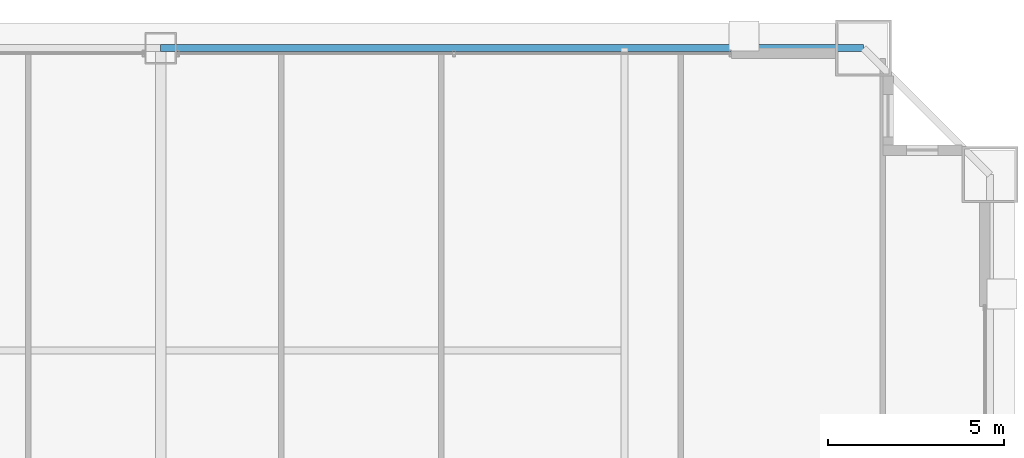
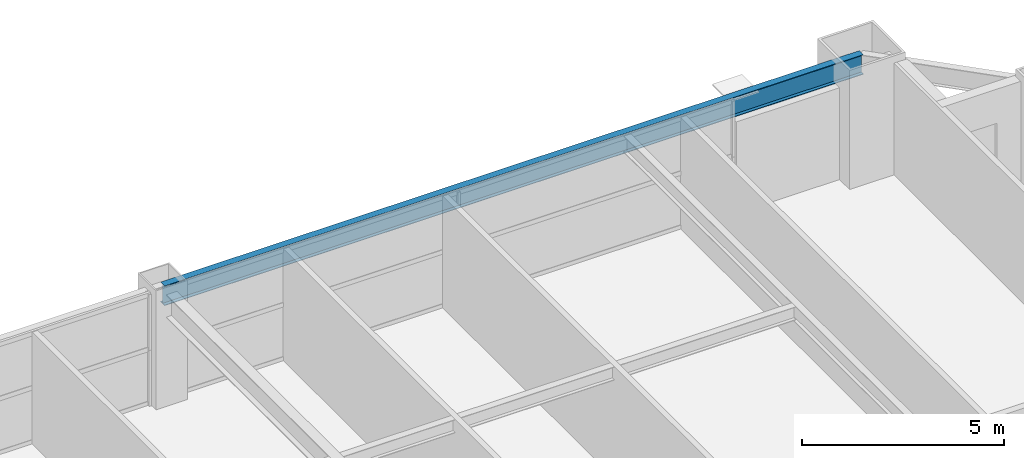
# One storey, part 31 of 38: 1 beam.
"""IFC4 building model written with IfcOpenShell, lengths in metres."""

from ifc_helpers import new_model, si_unit, direction, frame, origin, origin_2d, place, context, subcontext, project, spatial, i_section, extrude, source, transform, mapped, material, material_profile, profile_set, type_object, element, save


model = new_model("IFC4")

# Units and contexts
model_context = context("Model", 3, precision=1e-05, world=origin(), true_north=direction((0.0, 1.0)))
body_context = subcontext(model_context, "Body", "Model", "MODEL_VIEW")
ifc_project = project(units=[si_unit("LENGTHUNIT", "METRE"), si_unit("AREAUNIT", "SQUARE_METRE"), si_unit("VOLUMEUNIT", "CUBIC_METRE"), si_unit("PLANEANGLEUNIT", "RADIAN"), si_unit("MASSUNIT", "GRAM", prefix="KILO"), si_unit("THERMODYNAMICTEMPERATUREUNIT", "KELVIN"), si_unit("POWERUNIT", "WATT")], contexts=[model_context])

# Site, building, storey
site_placement = place(None, origin())
site = spatial("IfcSite", under=ifc_project, at=site_placement, CompositionType="ELEMENT")
building_placement = place(site_placement, origin())
building = spatial("IfcBuilding", under=site, at=building_placement, Name="Yuzanri Waterfront Tower", CompositionType="ELEMENT")
storey_placement = place(building_placement, frame((0.0, 0.0, 90.199951171875)))
storey = spatial("IfcBuildingStorey", under=building, at=storey_placement, Name="L23", CompositionType="ELEMENT", Elevation=90.199951171875)

# Beam
ifc_material = material(Name="Steel Q355B", Category="steel")
ifc_material_profile = material_profile(ifc_material, i_section(OverallWidth=0.199951171875, OverallDepth=0.60009765625, WebThickness=0.010986328125, FlangeThickness=0.01708984375, at=origin_2d()), Name="HN 600x200x11x17")
ifc_profile_set = profile_set([ifc_material_profile], Name="Steel Q355B")
beam_type = type_object("IfcBeamType", Name="Perimeter Spandrel Q355B HN 600x200", PredefinedType="SPANDREL", material=ifc_profile_set)
shared_shape = source(origin(), body_context, "Body", "SweptSolid", [
    extrude(i_section(OverallWidth=0.199951171875, OverallDepth=0.60009765625, WebThickness=0.010986328125, FlangeThickness=0.01708984375, at=origin_2d()), origin(), (0.0, 0.0, 1.0), 20.0),
])
beam_placement = place(storey_placement, frame((57.0, 49.39990234375, 3.080078125), z_axis=(-1.0, 0.0, 0.0), x_axis=(0.0, -1.0, 0.0)))
element("IfcBeam", 1, at=beam_placement, inside=storey, type_object=beam_type, Name="L23 Perimeter Spandrel N3-N2", PredefinedType="SPANDREL", context=body_context, shape_type="MappedRepresentation", body=[
    mapped(shared_shape, transform((0.0, 0.0, 0.0), scale=1.0)),
])

save(model, "model.ifc")
